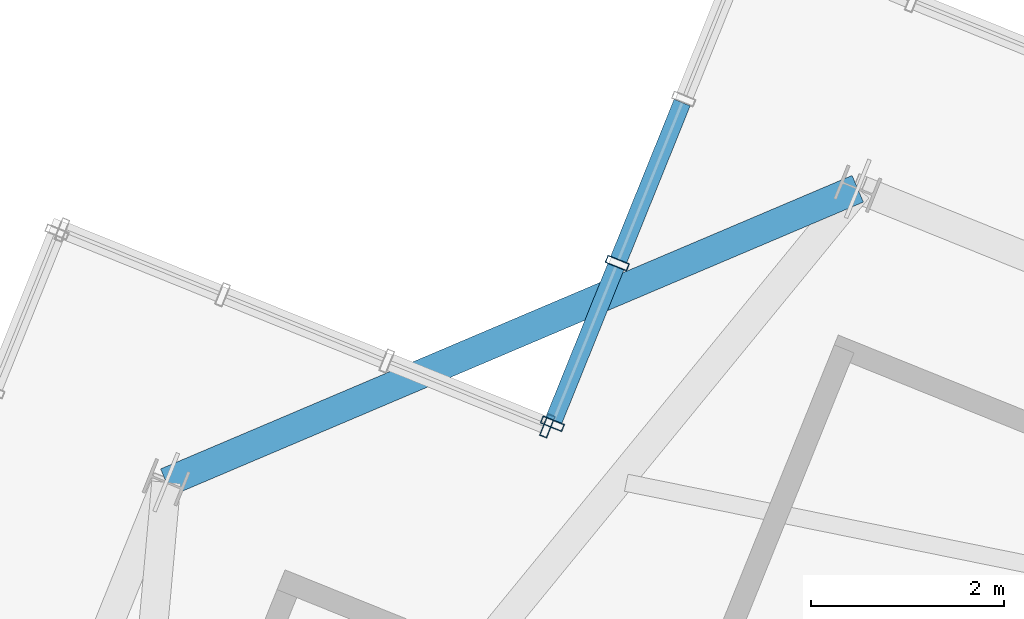
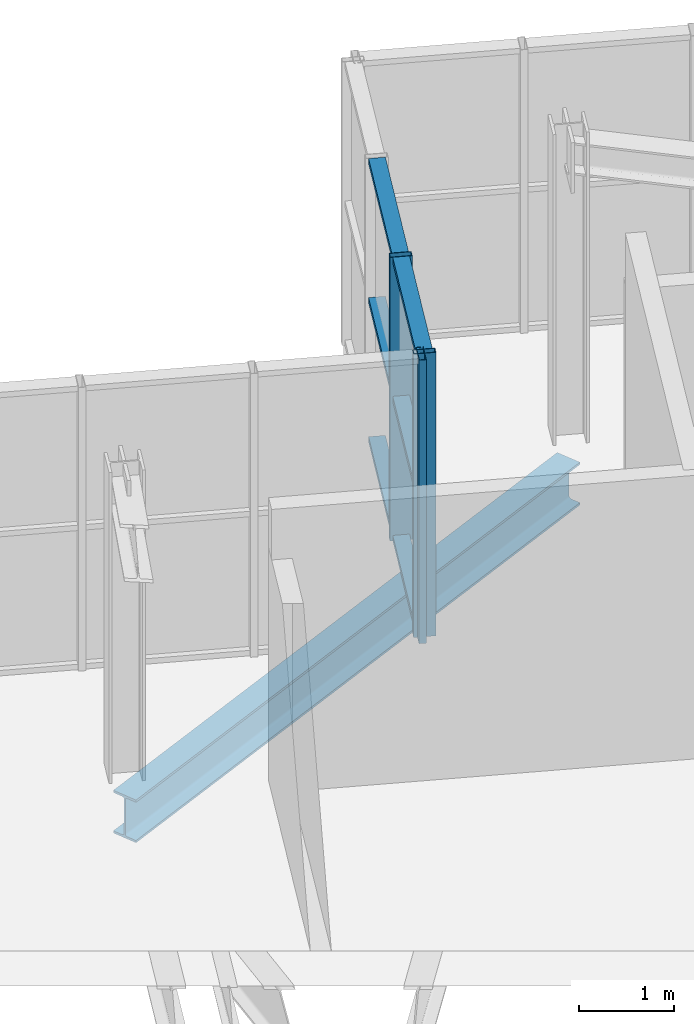
# One storey, part 14 of 26: 9 members, 1 beam, 2 elements without a shape of their own.
"""IFC4 building model written with IfcOpenShell, lengths in metres."""

from ifc_helpers import new_model, si_unit, direction, frame, origin, origin_2d, place, context, subcontext, project, spatial, hollow_rectangle, i_section, extrude, source, transform, mapped, material, layer, layer_set, material_profile, profile_set, type_object, element, aggregate, save


model = new_model("IFC4")

# Units and contexts
model_context = context("Model", 3, precision=1e-05, world=origin(), true_north=direction((0.0, 1.0)))
body_context = subcontext(model_context, "Body", "Model", "MODEL_VIEW")
ifc_project = project(units=[si_unit("LENGTHUNIT", "METRE"), si_unit("AREAUNIT", "SQUARE_METRE"), si_unit("VOLUMEUNIT", "CUBIC_METRE"), si_unit("PLANEANGLEUNIT", "RADIAN"), si_unit("MASSUNIT", "GRAM", prefix="KILO"), si_unit("THERMODYNAMICTEMPERATUREUNIT", "KELVIN")], contexts=[model_context])

# Site, building, storey
site_placement = place(None, origin())
site = spatial("IfcSite", under=ifc_project, at=site_placement, CompositionType="ELEMENT")
building_placement = place(site_placement, origin())
building = spatial("IfcBuilding", under=site, at=building_placement, Name="Kosmvard Interchange Tower", CompositionType="ELEMENT")
storey_placement = place(building_placement, frame((0.0, 0.0, 341.60009765625)))
storey = spatial("IfcBuildingStorey", under=building, at=storey_placement, Name="L84", CompositionType="ELEMENT", Elevation=341.60009765625)

# Beam
ifc_material_1 = material(Name="Steel S355", Category="steel")
ifc_material_profile_1 = material_profile(ifc_material_1, i_section(OverallWidth=0.300048828125, OverallDepth=0.550048828125, WebThickness=0.014892578125, FlangeThickness=0.029052734375, FilletRadius=0.027099609375, at=origin_2d()), Name="HEB 550")
ifc_profile_set_1 = profile_set([ifc_material_profile_1], Name="Steel S355")
beam_type = type_object("IfcBeamType", Name="Crown Ring Cap Girder HEB 550 S355", PredefinedType="BEAM", material=ifc_profile_set_1)
shared_shape_1 = source(origin(), body_context, "Body", "SweptSolid", [
    extrude(i_section(OverallWidth=0.300048828125, OverallDepth=0.550048828125, WebThickness=0.014892578125, FlangeThickness=0.029052734375, FilletRadius=0.027099609375, at=origin_2d()), origin(), (0.0, 0.0, 1.0), 7.778076171875),
])
beam_placement = place(storey_placement, frame((-5.34423828125, 22.54345703125, -0.5751953125), z_axis=(-0.92051132134, -0.39071589075, 0.0), x_axis=(0.39071589075, -0.92051132134, 0.0)))
element("IfcBeam", 1, at=beam_placement, inside=storey, type_object=beam_type, Name="BM-L84-PR06", PredefinedType="BEAM", context=body_context, shape_type="MappedRepresentation", body=[
    mapped(shared_shape_1, transform((0.0, 0.0, 0.0), scale=1.0)),
])

# Curtain wall, members
ifc_material_2 = material(Name="Architectural anodised aluminium", Category="aluminium")
ifc_layer = layer(ifc_material_2, 0.25, Name="Architectural anodised aluminium")
ifc_layer_set = layer_set([ifc_layer], Name="Architectural anodised aluminium")
curtain_wall_type = type_object("IfcCurtainWallType", Name="CW-6 Illuminated Crown Lantern Curtain Wall", PredefinedType="NOTDEFINED", material=ifc_layer_set)
curtain_wall_1_placement = place(storey_placement, origin())
curtain_wall_1 = element("IfcCurtainWall", 2, at=curtain_wall_1_placement, inside=storey, type_object=curtain_wall_type, Name="L84 Crown Lantern Glazing Face 05", PredefinedType="NOTDEFINED")
ifc_material_profile_2 = material_profile(ifc_material_2, hollow_rectangle(XDim=0.179931640625, YDim=0.070068359375, WallThickness=0.0048828125, at=origin_2d()), Name="CWT 180x70x5")
ifc_profile_set_2 = profile_set([ifc_material_profile_2], Name="Architectural anodised aluminium")
member_type_1 = type_object("IfcMemberType", Name="Heavy Lantern CW Transom 180x70 Aluminium", PredefinedType="USERDEFINED", material=ifc_profile_set_2)
shared_shape_2 = source(origin(), body_context, "Body", "SweptSolid", [
    extrude(hollow_rectangle(XDim=0.179931640625, YDim=0.070068359375, WallThickness=0.0048828125, at=origin_2d()), origin(), (0.0, 0.0, 1.0), 1.71337890625),
])
member_1_placement = place(storey_placement, frame((-7.848876953125, 21.736328125, 0.034912109375), z_axis=(-0.374606758599, -0.927183787829, 0.0), x_axis=(0.927183787829, -0.374606758599, 0.0)))
member_1 = element("IfcMember", 3, at=member_1_placement, type_object=member_type_1, Name="CW-6 transom 3.1", ObjectType="TRANSOM", PredefinedType="USERDEFINED", context=body_context, shape_type="MappedRepresentation", body=[
    mapped(shared_shape_2, transform((0.0, 0.0, 0.0), scale=1.0)),
])
member_2_placement = place(storey_placement, frame((-7.848876953125, 21.736328125, 1.824951171875), z_axis=(-0.374606758599, -0.927183787829, 0.0), x_axis=(0.927183787829, -0.374606758599, 0.0)))
member_2 = element("IfcMember", 4, at=member_2_placement, type_object=member_type_1, Name="CW-6 transom 3.2", ObjectType="TRANSOM", PredefinedType="USERDEFINED", context=body_context, shape_type="MappedRepresentation", body=[
    mapped(shared_shape_2, transform((0.0, 0.0, 0.0), scale=1.0)),
])
member_3_placement = place(storey_placement, frame((-7.848876953125, 21.736328125, 3.614990234375), z_axis=(-0.374606758599, -0.927183787829, 0.0), x_axis=(0.927183787829, -0.374606758599, 0.0)))
member_3 = element("IfcMember", 5, at=member_3_placement, type_object=member_type_1, Name="CW-6 transom 3.3", ObjectType="TRANSOM", PredefinedType="USERDEFINED", context=body_context, shape_type="MappedRepresentation", body=[
    mapped(shared_shape_2, transform((0.0, 0.0, 0.0), scale=1.0)),
])
shared_shape_3 = source(origin(), body_context, "Body", "SweptSolid", [
    extrude(hollow_rectangle(XDim=0.179931640625, YDim=0.070068359375, WallThickness=0.0048828125, at=origin_2d()), origin(), (0.0, 0.0, 1.0), 1.75341796875),
])
member_4_placement = place(storey_placement, frame((-7.162109375, 23.436279296875, 0.034912109375), z_axis=(-0.374677135907, -0.927155350429, 0.0), x_axis=(0.927155350429, -0.374677135907, 0.0)))
member_4 = element("IfcMember", 6, at=member_4_placement, type_object=member_type_1, Name="CW-6 transom 2.1", ObjectType="TRANSOM", PredefinedType="USERDEFINED", context=body_context, shape_type="MappedRepresentation", body=[
    mapped(shared_shape_3, transform((0.0, 0.0, 0.0), scale=1.0)),
])
member_5_placement = place(storey_placement, frame((-7.162109375, 23.436279296875, 1.824951171875), z_axis=(-0.374677135907, -0.927155350429, 0.0), x_axis=(0.927155350429, -0.374677135907, 0.0)))
member_5 = element("IfcMember", 7, at=member_5_placement, type_object=member_type_1, Name="CW-6 transom 2.2", ObjectType="TRANSOM", PredefinedType="USERDEFINED", context=body_context, shape_type="MappedRepresentation", body=[
    mapped(shared_shape_3, transform((0.0, 0.0, 0.0), scale=1.0)),
])
member_6_placement = place(storey_placement, frame((-7.162109375, 23.436279296875, 3.614990234375), z_axis=(-0.374677135907, -0.927155350429, 0.0), x_axis=(0.927155350429, -0.374677135907, 0.0)))
member_6 = element("IfcMember", 8, at=member_6_placement, type_object=member_type_1, Name="CW-6 transom 2.3", ObjectType="TRANSOM", PredefinedType="USERDEFINED", context=body_context, shape_type="MappedRepresentation", body=[
    mapped(shared_shape_3, transform((0.0, 0.0, 0.0), scale=1.0)),
])
ifc_material_profile_3 = material_profile(ifc_material_2, hollow_rectangle(XDim=0.239990234375, YDim=0.080078125, WallThickness=0.006103515625, at=origin_2d()), Name="CWM 240x80x6")
ifc_profile_set_3 = profile_set([ifc_material_profile_3], Name="Architectural anodised aluminium")
member_type_2 = type_object("IfcMemberType", Name="Lantern & Observation CW Mullion 240x80 Aluminium", PredefinedType="MULLION", material=ifc_profile_set_3)
shared_shape_4 = source(origin(), body_context, "Body", "SweptSolid", [
    extrude(hollow_rectangle(XDim=0.239990234375, YDim=0.080078125, WallThickness=0.006103515625, at=origin_2d()), origin(), (0.0, 0.0, 1.0), 3.64990234375),
])
member_7_placement = place(storey_placement, frame((-7.833984375, 21.7734375, 0.0), z_axis=(0.0, 0.0, 1.0), x_axis=(0.92718386612, -0.374606564822, 0.0)))
member_7 = element("IfcMember", 9, at=member_7_placement, type_object=member_type_2, Name="CW-6 mullion 3", PredefinedType="MULLION", context=body_context, shape_type="MappedRepresentation", body=[
    mapped(shared_shape_4, transform((0.0, 0.0, 0.0), scale=1.0)),
])
member_8_placement = place(storey_placement, frame((-8.505859375, 20.110595703125, 0.0), z_axis=(0.0, 0.0, 1.0), x_axis=(0.92718386612, -0.374606564822, 0.0)))
member_8 = element("IfcMember", 10, at=member_8_placement, type_object=member_type_2, Name="CW-6 mullion 4", PredefinedType="MULLION", context=body_context, shape_type="MappedRepresentation", body=[
    mapped(shared_shape_4, transform((0.0, 0.0, 0.0), scale=1.0)),
])
aggregate(curtain_wall_1, [member_7, member_8, member_4, member_5, member_6, member_1, member_2, member_3])

# Curtain wall, member
curtain_wall_2_placement = place(storey_placement, origin())
curtain_wall_2 = element("IfcCurtainWall", 11, at=curtain_wall_2_placement, inside=storey, type_object=curtain_wall_type, Name="L84 Crown Lantern Glazing Face 06", PredefinedType="NOTDEFINED")
member_9_placement = place(storey_placement, frame((-8.557861328125, 20.088623046875, 0.0), z_axis=(0.0, 0.0, 1.0), x_axis=(-0.374606501678, -0.927183891631, 0.0)))
member_9 = element("IfcMember", 12, at=member_9_placement, type_object=member_type_2, Name="CW-6 mullion 1", PredefinedType="MULLION", context=body_context, shape_type="MappedRepresentation", body=[
    mapped(shared_shape_4, transform((0.0, 0.0, 0.0), scale=1.0)),
])
aggregate(curtain_wall_2, [member_9])

save(model, "model.ifc")
